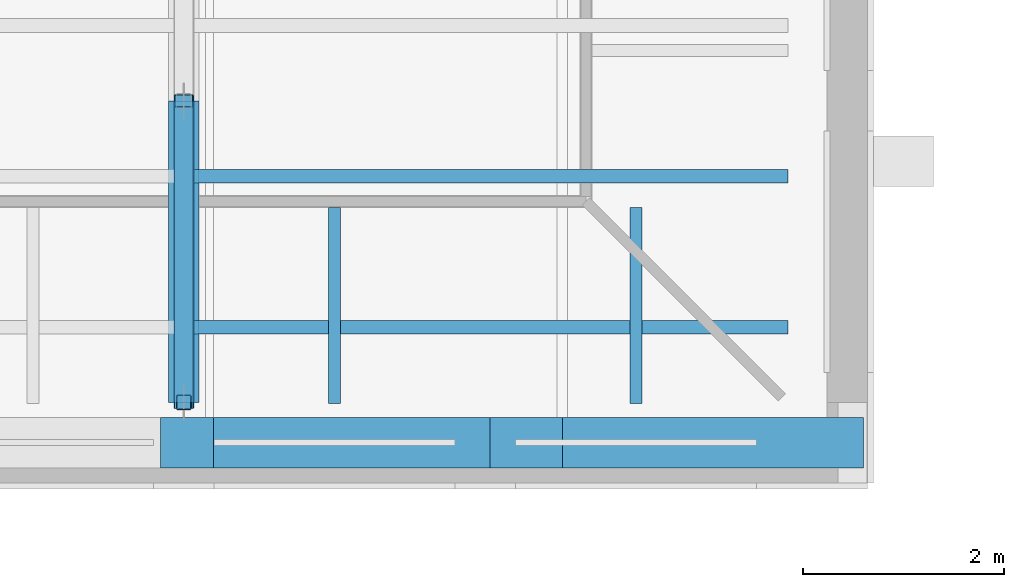
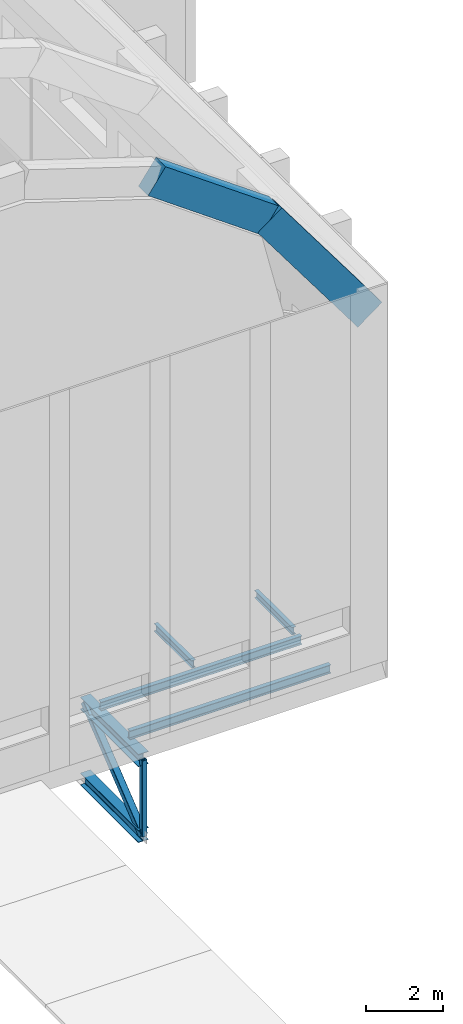
# One storey, part 4 of 55: 6 members, 4 beams.
"""IFC4 building model written with IfcOpenShell, lengths in metres."""

from ifc_helpers import new_model, si_unit, direction, frame, origin, origin_2d, place, context, subcontext, project, spatial, rectangle, hollow_rectangle, i_section, extrude, material, material_profile, profile_set, type_object, element, save


model = new_model("IFC4")

# Units and contexts
model_context = context("Model", 3, precision=1e-05, world=origin(), true_north=direction((0.0, 1.0)))
body_context = subcontext(model_context, "Body", "Model", "MODEL_VIEW")
ifc_project = project(units=[si_unit("LENGTHUNIT", "METRE"), si_unit("AREAUNIT", "SQUARE_METRE"), si_unit("VOLUMEUNIT", "CUBIC_METRE"), si_unit("PLANEANGLEUNIT", "RADIAN"), si_unit("MASSUNIT", "GRAM", prefix="KILO")], contexts=[model_context])

# Site, building, storey
site_placement = place(None, origin())
site = spatial("IfcSite", under=ifc_project, at=site_placement, CompositionType="ELEMENT")
building_placement = place(site_placement, origin())
building = spatial("IfcBuilding", under=site, at=building_placement, Name="Lunette Opera House", CompositionType="ELEMENT")
storey_placement = place(building_placement, frame((0.0, 0.0, 34.0)))
storey = spatial("IfcBuildingStorey", under=building, at=storey_placement, Name="L06", CompositionType="ELEMENT", Elevation=34.0)

# Beams
ifc_material_1 = material(Name="Concrete C40/50", Category="concrete")
ifc_material_profile_1 = material_profile(ifc_material_1, rectangle(XDim=0.5, YDim=0.89990234375, at=origin_2d()), Name="ARCH BEAM 500X900")
ifc_profile_set_1 = profile_set([ifc_material_profile_1], Name="Concrete C40/50")
beam_type_1 = type_object("IfcBeamType", Name="ARCH BEAM 500X900", PredefinedType="BEAM", material=ifc_profile_set_1)
beam_1_placement = place(storey_placement, frame((102.031005859375, 95.60009765625, 17.98193359375), z_axis=(0.81279485596, 0.0, -0.582550016844), x_axis=(0.0, 1.0, 0.0)))
element("IfcBeam", 1, at=beam_1_placement, inside=storey, type_object=beam_type_1, Name="beam-ST-L06-EAT1-6", PredefinedType="BEAM", context=body_context, shape_type="SweptSolid", body=[
    extrude(rectangle(XDim=0.5, YDim=0.89990234375, at=origin_2d()), origin(), (0.0, 0.0, 1.0), 4.15234375),
])
beam_2_placement = place(storey_placement, frame((105.406005859375, 95.60009765625, 15.56298828125), z_axis=(0.595879274634, 0.0, -0.803074025269), x_axis=(0.0, 1.0, 0.0)))
element("IfcBeam", 2, at=beam_2_placement, inside=storey, type_object=beam_type_1, Name="beam-ST-L06-EAT1-7", PredefinedType="BEAM", context=body_context, shape_type="SweptSolid", body=[
    extrude(rectangle(XDim=0.5, YDim=0.89990234375, at=origin_2d()), origin(), (0.0, 0.0, 1.0), 5.0244140625),
])

# Members
ifc_material_2 = material(Name="Steel S355", Category="steel")
ifc_material_profile_2 = material_profile(ifc_material_2, i_section(OverallWidth=0.1201171875, OverallDepth=0.239990234375, WebThickness=0.006103515625, FlangeThickness=0.009765625, FilletRadius=0.014892578125, at=origin_2d()), Name="IPE 240")
ifc_profile_set_2 = profile_set([ifc_material_profile_2], Name="Steel S355")
member_type_1 = type_object("IfcMemberType", Name="BRACKET IPE 240", PredefinedType="MEMBER", material=ifc_profile_set_2)
for number, where, z_axis, x_axis, name in (
    (3, (103.5, 95.989990234375, 1.820068359375), (0.0, 1.0, 0.0), (-1.0, 0.0, 0.0), "mem-ST-L06-LOFT-BKS1035-959"),
    (4, (106.5, 95.989990234375, 1.820068359375), (0.0, 1.0, 0.0), (-1.0, 0.0, 0.0), "mem-ST-L06-LOFT-BKS1065-959"),
):
    element("IfcMember", number, at=place(storey_placement, frame(where, z_axis=z_axis, x_axis=x_axis)), inside=storey, type_object=member_type_1, Name=name, PredefinedType="MEMBER", context=body_context, shape_type="SweptSolid", body=[
        extrude(i_section(OverallWidth=0.1201171875, OverallDepth=0.239990234375, WebThickness=0.006103515625, FlangeThickness=0.009765625, FilletRadius=0.014892578125, at=origin_2d()), origin(), (0.0, 0.0, 1.0), 1.949951171875),
    ])
ifc_material_3 = material(Name="Steel S355", Category="steel")
ifc_material_profile_3 = material_profile(ifc_material_3, i_section(OverallWidth=0.300048828125, OverallDepth=0.389892578125, WebThickness=0.010986328125, FlangeThickness=0.01904296875, FilletRadius=0.027099609375, at=origin_2d()), Name="HEA 400")
ifc_profile_set_3 = profile_set([ifc_material_profile_3], Name="Steel S355")
member_type_2 = type_object("IfcMemberType", Name="CHORD HEA 400", PredefinedType="CHORD", material=ifc_profile_set_3)
for number, where, z_axis, x_axis, name in (
    (5, (102.0, 96.0, -0.6650390625), (0.0, 1.0, 0.0), (-1.0, 0.0, 0.0), "mem-ST-L06-ST-TR03-TC1"),
    (6, (102.0, 96.0, -3.06494140625), (0.0, 1.0, 0.0), (-1.0, 0.0, 0.0), "mem-ST-L06-ST-TR03-BC1"),
):
    element("IfcMember", number, at=place(storey_placement, frame(where, z_axis=z_axis, x_axis=x_axis)), inside=storey, type_object=member_type_2, Name=name, PredefinedType="CHORD", context=body_context, shape_type="SweptSolid", body=[
        extrude(i_section(OverallWidth=0.300048828125, OverallDepth=0.389892578125, WebThickness=0.010986328125, FlangeThickness=0.01904296875, FilletRadius=0.027099609375, at=origin_2d()), origin(), (0.0, 0.0, 1.0), 3.0),
    ])
ifc_material_4 = material(Name="Steel S355", Category="steel")
ifc_material_profile_4 = material_profile(ifc_material_4, hollow_rectangle(XDim=0.199951171875, YDim=0.199951171875, WallThickness=0.008056640625, InnerFilletRadius=0.008056640625, OuterFilletRadius=0.01611328125, at=origin_2d()), Name="RHS 200X200X8")
ifc_profile_set_4 = profile_set([ifc_material_profile_4], Name="Steel S355")
member_type_3 = type_object("IfcMemberType", Name="DIAGONAL RHS 200X200X8", PredefinedType="BRACE", material=ifc_profile_set_4)
member_1_placement = place(storey_placement, frame((102.0, 96.0, -3.06494140625), z_axis=(0.0, 0.780881208953, 0.624679547852), x_axis=(-1.0, 0.0, 0.0)))
element("IfcMember", 7, at=member_1_placement, inside=storey, type_object=member_type_3, Name="mem-ST-L06-ST-TR03-TD1", PredefinedType="BRACE", context=body_context, shape_type="SweptSolid", body=[
    extrude(hollow_rectangle(XDim=0.199951171875, YDim=0.199951171875, WallThickness=0.008056640625, InnerFilletRadius=0.008056640625, OuterFilletRadius=0.01611328125, at=origin_2d()), origin(), (0.0, 0.0, 1.0), 3.841796875),
])

# Beams
ifc_material_5 = material(Name="Steel S355", Category="steel")
ifc_material_profile_5 = material_profile(ifc_material_5, i_section(OverallWidth=0.135009765625, OverallDepth=0.27001953125, WebThickness=0.006591796875, FlangeThickness=0.01025390625, FilletRadius=0.014892578125, at=origin_2d()), Name="IPE 270")
ifc_profile_set_5 = profile_set([ifc_material_profile_5], Name="Steel S355")
beam_type_2 = type_object("IfcBeamType", Name="STEEL BEAM IPE 270", PredefinedType="BEAM", material=ifc_profile_set_5)
for number, where, z_axis, x_axis, name in (
    (8, (102.0, 96.75, -0.3349609375), (1.0, 0.0, 0.0), (0.0, 1.0, 0.0), "beam-ST-L06-GRID-9675-4"),
    (9, (102.0, 98.25, -0.3349609375), (1.0, 0.0, 0.0), (0.0, 1.0, 0.0), "beam-ST-L06-GRID-9825-4"),
):
    element("IfcBeam", number, at=place(storey_placement, frame(where, z_axis=z_axis, x_axis=x_axis)), inside=storey, type_object=beam_type_2, Name=name, PredefinedType="BEAM", context=body_context, shape_type="SweptSolid", body=[
        extrude(i_section(OverallWidth=0.135009765625, OverallDepth=0.27001953125, WebThickness=0.006591796875, FlangeThickness=0.01025390625, FilletRadius=0.014892578125, at=origin_2d()), origin(), (0.0, 0.0, 1.0), 6.010009765625),
    ])

# Member
ifc_material_6 = material(Name="Steel S355", Category="steel")
ifc_material_profile_6 = material_profile(ifc_material_6, hollow_rectangle(XDim=0.14990234375, YDim=0.14990234375, WallThickness=0.008056640625, InnerFilletRadius=0.008056640625, OuterFilletRadius=0.01611328125, at=origin_2d()), Name="RHS 150X150X8")
ifc_profile_set_6 = profile_set([ifc_material_profile_6], Name="Steel S355")
member_type_4 = type_object("IfcMemberType", Name="VERTICAL RHS 150X150X8", PredefinedType="POST", material=ifc_profile_set_6)
member_2_placement = place(storey_placement, frame((102.0, 96.0, -3.06494140625), z_axis=(0.0, 0.0, 1.0), x_axis=(1.0, 0.0, 0.0)))
element("IfcMember", 10, at=member_2_placement, inside=storey, type_object=member_type_4, Name="mem-ST-L06-ST-TR03-TV1", PredefinedType="POST", context=body_context, shape_type="SweptSolid", body=[
    extrude(hollow_rectangle(XDim=0.14990234375, YDim=0.14990234375, WallThickness=0.008056640625, InnerFilletRadius=0.008056640625, OuterFilletRadius=0.01611328125, at=origin_2d()), origin(), (0.0, 0.0, 1.0), 2.39990234375),
])

save(model, "model.ifc")
